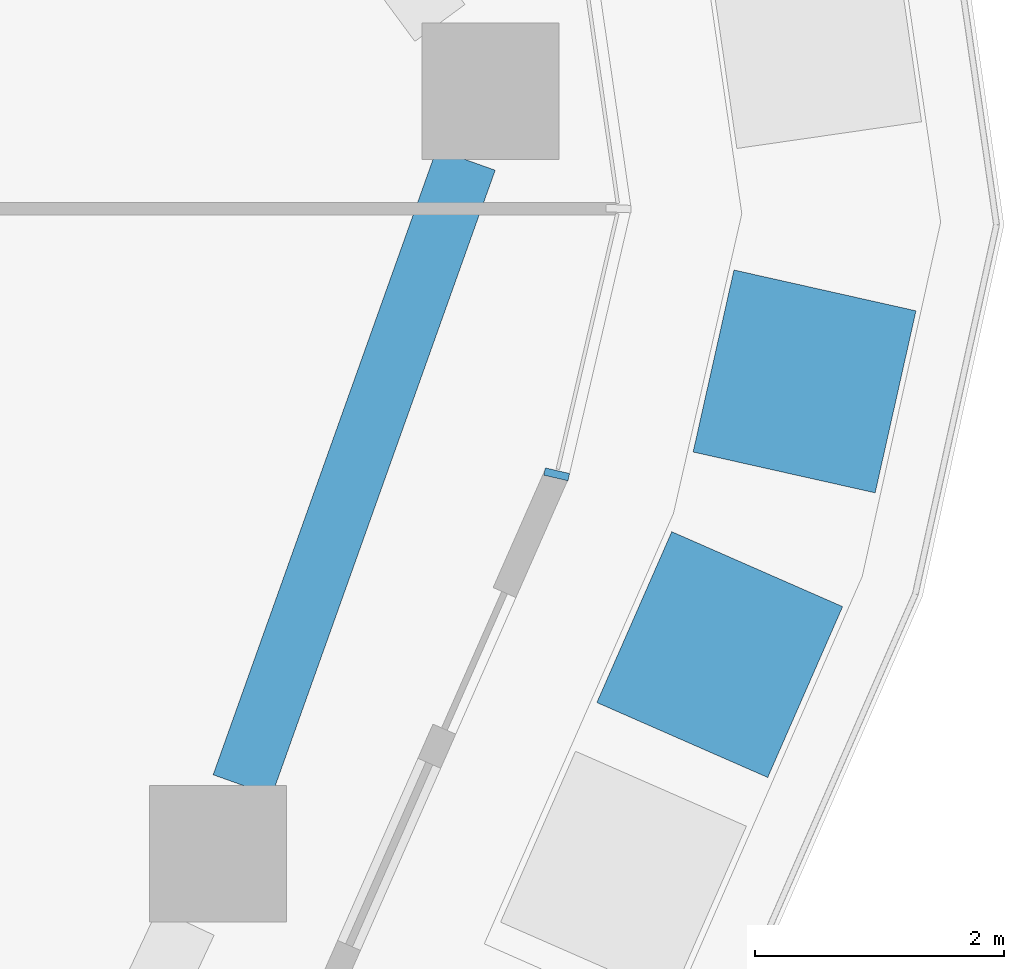
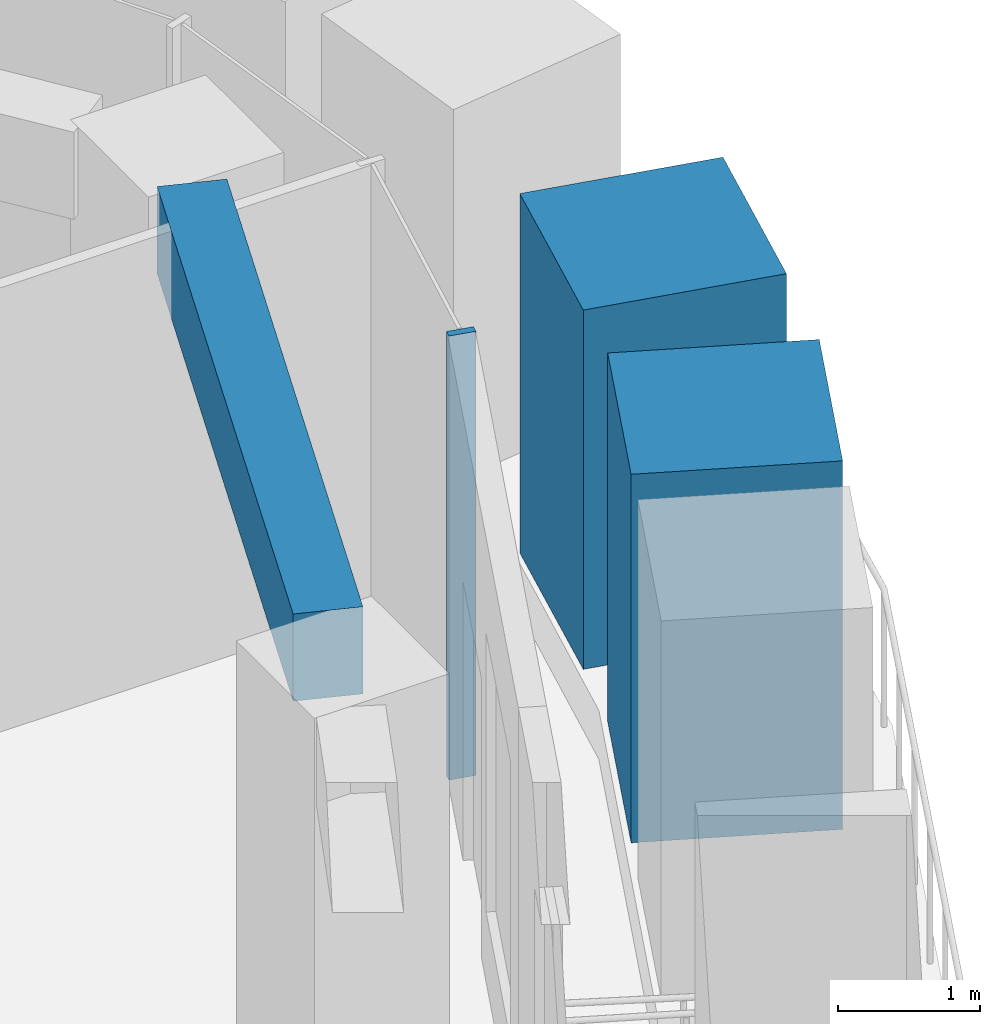
# One storey, part 6 of 21: 3 members, 1 beam, 1 element without a shape of its own.
"""IFC4 building model written with IfcOpenShell, lengths in metres."""

from ifc_helpers import new_model, si_unit, direction, frame, origin, origin_2d, place, context, subcontext, project, spatial, rectangle, extrude, material, layer, layer_set, material_profile, profile_set, type_object, element, aggregate, save


model = new_model("IFC4")

# Units and contexts
model_context = context("Model", 3, precision=1e-05, world=origin(), true_north=direction((0.0, 1.0)))
body_context = subcontext(model_context, "Body", "Model", "MODEL_VIEW")
ifc_project = project(units=[si_unit("LENGTHUNIT", "METRE"), si_unit("AREAUNIT", "SQUARE_METRE"), si_unit("VOLUMEUNIT", "CUBIC_METRE"), si_unit("PLANEANGLEUNIT", "RADIAN"), si_unit("MASSUNIT", "GRAM", prefix="KILO")], contexts=[model_context])

# Site, building, storey
site_placement = place(None, origin())
site = spatial("IfcSite", under=ifc_project, at=site_placement, CompositionType="ELEMENT")
building_placement = place(site_placement, origin())
building = spatial("IfcBuilding", under=site, at=building_placement, Name="Dongbaek Canopy Tower", CompositionType="ELEMENT")
storey_placement = place(building_placement, frame((0.0, 0.0, 274.800048828125)))
storey = spatial("IfcBuildingStorey", under=building, at=storey_placement, Name="L58", CompositionType="ELEMENT", Elevation=274.800048828125)

# Curtain wall, member
ifc_material_1 = material(Name="Aluminium 6063-T6 pale anodised", Category="aluminium")
ifc_layer = layer(ifc_material_1, 0.199951171875)
ifc_layer_set = layer_set([ifc_layer], Name="CW-1 unitised tower curtain wall")
curtain_wall_type = type_object("IfcCurtainWallType", Name="CW-1 unitised tower curtain wall", PredefinedType="NOTDEFINED", material=ifc_layer_set)
curtain_wall_placement = place(storey_placement, origin())
curtain_wall = element("IfcCurtainWall", 1, at=curtain_wall_placement, inside=storey, type_object=curtain_wall_type, Name="CW-1 curtain wall K0.1", PredefinedType="NOTDEFINED")
ifc_material_2 = material(Name="Aluminium 6063-T6 pale anodised", Category="aluminium")
ifc_material_profile_1 = material_profile(ifc_material_2, rectangle(XDim=0.199951171875, YDim=0.06005859375, at=origin_2d()), Name="CW-1 mullion 60 x 200")
ifc_profile_set_1 = profile_set([ifc_material_profile_1], Name="Aluminium 6063-T6 pale anodised")
member_type_1 = type_object("IfcMemberType", Name="CW-1 mullion 60 x 200", PredefinedType="MULLION", material=ifc_profile_set_1)
member_1_placement = place(storey_placement, frame((28.02490234375, 2.897705078125, 0.0), z_axis=(0.0, 0.0, 1.0), x_axis=(0.973926758053, -0.226862667596, 0.0)))
member_1 = element("IfcMember", 2, at=member_1_placement, type_object=member_type_1, Name="CW-1 mullion K0.1.1", PredefinedType="MULLION", context=body_context, shape_type="SweptSolid", body=[
    extrude(rectangle(XDim=0.199951171875, YDim=0.06005859375, at=origin_2d()), origin(), (0.0, 0.0, 1.0), 3.820068359375),
])
aggregate(curtain_wall, [member_1])

# Beam
ifc_material_3 = material(Name="Concrete C70", Category="concrete")
ifc_material_profile_2 = material_profile(ifc_material_3, rectangle(XDim=0.5, YDim=0.75, at=origin_2d()), Name="RC EDGE BEAM 500x750 C70")
ifc_profile_set_2 = profile_set([ifc_material_profile_2], Name="Concrete C70")
beam_type = type_object("IfcBeamType", Name="RC EDGE BEAM 500x750 C70", PredefinedType="BEAM", material=ifc_profile_set_2)
beam_placement = place(storey_placement, frame((27.29541015625, 5.427001953125, 3.445068359375), z_axis=(-0.336466714227, -0.94169535956, 0.0), x_axis=(0.94169535956, -0.336466714227, 0.0)))
element("IfcBeam", 3, at=beam_placement, inside=storey, type_object=beam_type, Name="EDGEBEAM:L58:21", PredefinedType="BEAM", context=body_context, shape_type="SweptSolid", body=[
    extrude(rectangle(XDim=0.5, YDim=0.75, at=origin_2d()), origin(), (0.0, 0.0, 1.0), 5.34033203125),
])

# Members
ifc_material_4 = material(Name="Concrete C40/50 planter mass with planting", Category="concrete")
ifc_material_profile_3 = material_profile(ifc_material_4, rectangle(XDim=1.5, YDim=1.5, at=origin_2d()), Name="Terrace PLANTER shrub mass 1500 x 1500")
ifc_profile_set_3 = profile_set([ifc_material_profile_3], Name="Concrete C40/50 planter mass with planting")
member_type_2 = type_object("IfcMemberType", Name="Terrace PLANTER shrub mass 1500 x 1500", PredefinedType="USERDEFINED", material=ifc_profile_set_3)
member_2_placement = place(storey_placement, frame((29.336181640625, 1.448486328125, 0.419921875), z_axis=(0.0, 0.0, 1.0), x_axis=(0.915837500878, -0.40154909038, 0.0)))
element("IfcMember", 4, at=member_2_placement, inside=storey, type_object=member_type_2, Name="Planter shrubs L58 4.2", ObjectType="PLANTER", PredefinedType="USERDEFINED", context=body_context, shape_type="SweptSolid", body=[
    extrude(rectangle(XDim=1.5, YDim=1.5, at=origin_2d()), origin(), (0.0, 0.0, 1.0), 3.169921875),
])
member_3_placement = place(storey_placement, frame((30.01806640625, 3.644775390625, 0.419921875), z_axis=(0.0, 0.0, 1.0), x_axis=(0.975740328168, -0.218931066744, 0.0)))
element("IfcMember", 5, at=member_3_placement, inside=storey, type_object=member_type_2, Name="Planter shrubs L58 4.3", ObjectType="PLANTER", PredefinedType="USERDEFINED", context=body_context, shape_type="SweptSolid", body=[
    extrude(rectangle(XDim=1.5, YDim=1.5, at=origin_2d()), origin(), (0.0, 0.0, 1.0), 3.090087890625),
])

save(model, "model.ifc")
